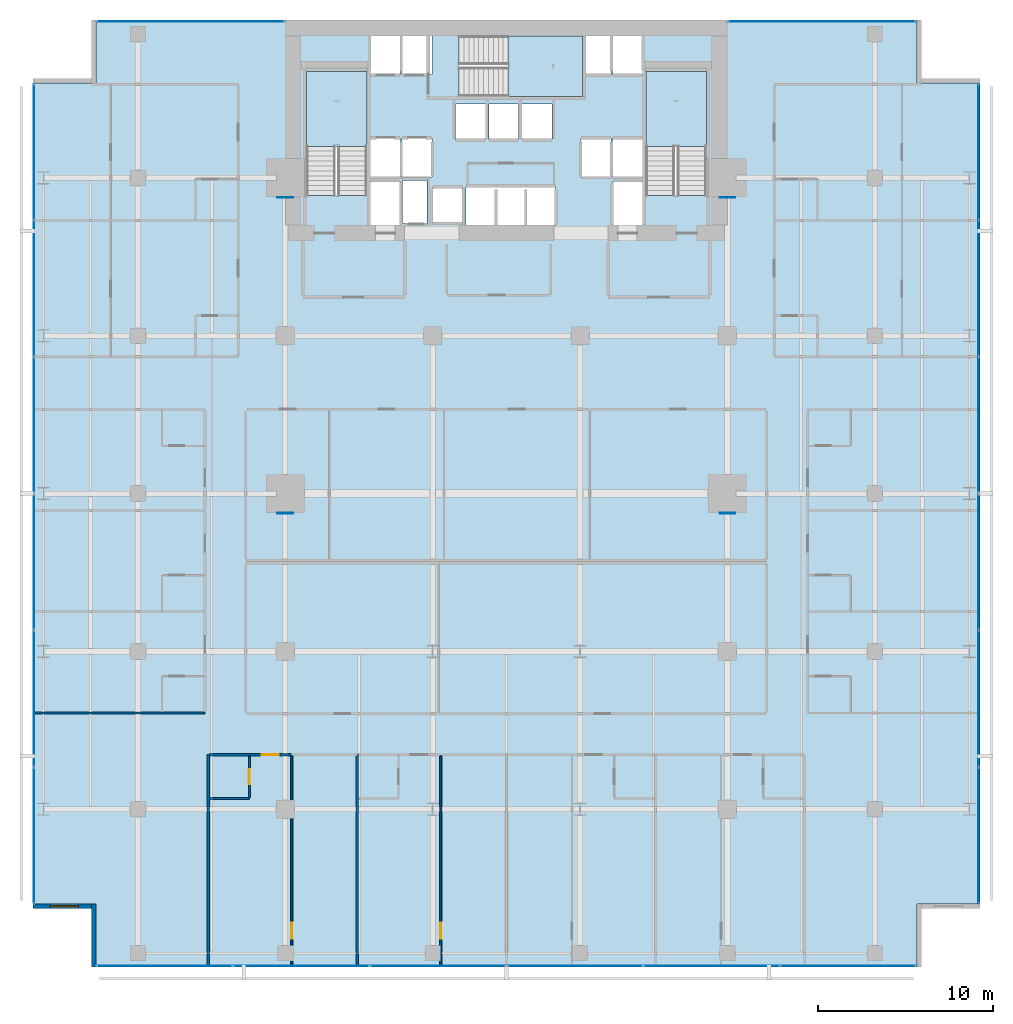
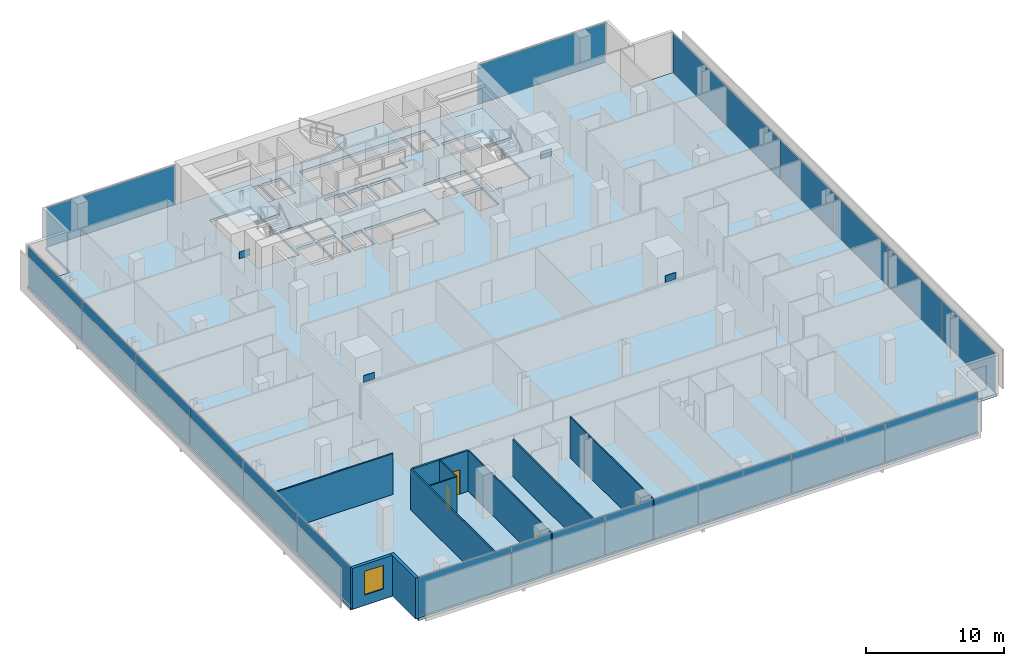
# One storey, part 32 of 40: 24 plates, 11 walls, 4 doors, 4 slabs, 1 window, 5 openings, 8 elements without a shape of their own.
"""IFC4 building model written with IfcOpenShell, lengths in metres."""

import ifcopenshell
import ifcopenshell.guid

model = None  # the IFC model being written
_history = None  # IfcOwnerHistory: only IFC2X3 demands one
_inside = {}  # id of a spatial element -> (the spatial element, [elements in it])
_under = {}  # id of a project, library or spatial element -> (it, [spatial elements below it])
_declared = {}  # id of a project -> (the project, [libraries it declares])
_typed = {}  # id of a type object -> (the type object, [elements of that type])
_made_of = {}  # id of a material, layer set ... -> (it, [elements and type objects made of it])


def new_model(schema):
    """Start an empty IFC model of exactly this schema.

    Asked for "IFC4X3", IfcOpenShell would pick the latest addendum, in which some entities
    have other attributes; the version numbers below select the first issue.
    IFC2X3 requires an IfcOwnerHistory on every rooted entity: one is made here for all.
    """
    global model, _history
    if schema == "IFC4X3":
        model = ifcopenshell.file(schema_version=(4, 3, 0, 0))
    else:
        model = ifcopenshell.file(schema=schema)
    _inside.clear()
    _under.clear()
    _declared.clear()
    _typed.clear()
    _made_of.clear()
    _history = None
    if model.schema == "IFC2X3":
        org = make("IfcOrganization", Name="unknown")
        user = make(
            "IfcPersonAndOrganization",
            ThePerson=make("IfcPerson", FamilyName="unknown"),
            TheOrganization=org,
        )
        app = make(
            "IfcApplication",
            ApplicationDeveloper=org,
            Version="unknown",
            ApplicationFullName="unknown",
            ApplicationIdentifier="unknown",
        )
        _history = make(
            "IfcOwnerHistory",
            OwningUser=user,
            OwningApplication=app,
            ChangeAction="ADDED",
            CreationDate=0,
        )
    return model


def make(cls, **values):
    """One entity of the class cls with the attributes given. An attribute that is None is left unset."""
    return model.create_entity(
        cls, **{name: value for name, value in values.items() if value is not None}
    )


def rooted(cls, **values):
    """An entity with a GlobalId (a new one), such as an element, a storey or a relation."""
    return make(cls, GlobalId=ifcopenshell.guid.new(), OwnerHistory=_history, **values)


def si_unit(unit_type, name, prefix=None):
    """IfcSIUnit, for example si_unit("LENGTHUNIT", "METRE", prefix="MILLI")."""
    return make("IfcSIUnit", UnitType=unit_type, Prefix=prefix, Name=name)


def assignment(units):
    """IfcUnitAssignment: the units of a project."""
    return None if units is None else make("IfcUnitAssignment", Units=units)


def point(xyz):
    """IfcCartesianPoint."""
    return None if xyz is None else make("IfcCartesianPoint", Coordinates=xyz)


def direction(xyz):
    """IfcDirection."""
    return None if xyz is None else make("IfcDirection", DirectionRatios=xyz)


def frame(location, z_axis=None, x_axis=None):
    """IfcAxis2Placement3D, a coordinate frame: its origin and axes. An axis left out is left unset."""
    return make(
        "IfcAxis2Placement3D",
        Location=point(location),
        Axis=direction(z_axis),
        RefDirection=direction(x_axis),
    )


def frame_2d(location, x_axis=None):
    """IfcAxis2Placement2D, a coordinate frame in the plane: its origin and x axis."""
    return make(
        "IfcAxis2Placement2D", Location=point(location), RefDirection=direction(x_axis)
    )


def origin():
    """The frame at (0, 0, 0) with its axes left unset."""
    return frame((0.0, 0.0, 0.0))


def origin_2d():
    """The frame at (0, 0) in the plane with its x axis left unset."""
    return frame_2d((0.0, 0.0))


def place(relative_to, where):
    """IfcLocalPlacement: puts the frame where relative to a parent placement (None: the world)."""
    return make(
        "IfcLocalPlacement", PlacementRelTo=relative_to, RelativePlacement=where
    )


def context(
    kind, dimensions, precision=None, world=None, true_north=None, identifier=None
):
    """IfcGeometricRepresentationContext, for example the 3D "Model" context."""
    return make(
        "IfcGeometricRepresentationContext",
        ContextIdentifier=identifier,
        ContextType=kind,
        CoordinateSpaceDimension=dimensions,
        Precision=precision,
        WorldCoordinateSystem=world,
        TrueNorth=true_north,
    )


def subcontext(parent, identifier, kind, view, scale=None):
    """IfcGeometricRepresentationSubContext, for example "Body" below "Model"."""
    return make(
        "IfcGeometricRepresentationSubContext",
        ContextIdentifier=identifier,
        ContextType=kind,
        ParentContext=parent,
        TargetScale=scale,
        TargetView=view,
    )


def project(units=None, contexts=None):
    """IfcProject with its units and contexts."""
    return rooted(
        "IfcProject",
        Name="project",
        RepresentationContexts=contexts,
        UnitsInContext=assignment(units),
    )


def spatial(cls, under=None, at=None, **own):
    """A site, building, storey or space (cls), placed at a placement, below another one or the project."""
    s = rooted(cls, ObjectPlacement=at, **own)
    if under is not None:
        _under.setdefault(under.id(), (under, []))[1].append(s)
    return s


def polyline(points):
    """IfcPolyline through the points."""
    return make("IfcPolyline", Points=[point(p) for p in points])


def profile(cls, at=None, kind="AREA", **sizes):
    """A parametric profile (cls). Its sizes go by their IFC names, for example OverallWidth=200.0."""
    return make(cls, ProfileType=kind, Position=at, **sizes)


def rectangle(**sizes):
    """IfcRectangleProfileDef."""
    return profile("IfcRectangleProfileDef", **sizes)


def outline(outer, holes=None, kind="AREA"):
    """IfcArbitraryClosedProfileDef: a profile drawn as a closed curve; with holes, ...WithVoids."""
    if holes is None:
        return make("IfcArbitraryClosedProfileDef", ProfileType=kind, OuterCurve=outer)
    return make(
        "IfcArbitraryProfileDefWithVoids",
        ProfileType=kind,
        OuterCurve=outer,
        InnerCurves=holes,
    )


def extrude(swept, where, along, depth):
    """IfcExtrudedAreaSolid: the profile swept, set in the frame where, extruded along a direction by depth."""
    return make(
        "IfcExtrudedAreaSolid",
        SweptArea=swept,
        Position=where,
        ExtrudedDirection=direction(along),
        Depth=depth,
    )


def shape(context_of_items, identifier, shape_type, items):
    """IfcShapeRepresentation: the items that make up one representation, for example the "Body"."""
    return make(
        "IfcShapeRepresentation",
        ContextOfItems=context_of_items,
        RepresentationIdentifier=identifier,
        RepresentationType=shape_type,
        Items=items,
    )


def material(Name=None, Category=None):
    """IfcMaterial."""
    return make("IfcMaterial", Name=Name, Category=Category)


def layer(
    of_material, thickness, ventilated=None, Name=None, Category=None, Priority=None
):
    """IfcMaterialLayer: one layer of a wall or slab, of a material (None: an air gap)."""
    return make(
        "IfcMaterialLayer",
        Material=of_material,
        LayerThickness=thickness,
        IsVentilated=ventilated,
        Name=Name,
        Category=Category,
        Priority=Priority,
    )


def layer_set(layers, Name=None):
    """IfcMaterialLayerSet."""
    return make("IfcMaterialLayerSet", MaterialLayers=layers, LayerSetName=Name)


def made_of(thing, what):
    """Note that an element or type object is made of a material, layer set ...; save() writes the relation."""
    if what is not None:
        _made_of.setdefault(what.id(), (what, []))[1].append(thing)
    return thing


def type_object(cls, material=None, **own):
    """A type object (cls), such as IfcWallType, which elements share."""
    return made_of(rooted(cls, **own), material)


def element(
    cls,
    number,
    at=None,
    inside=None,
    cuts=None,
    type_object=None,
    material=None,
    context=None,
    identifier="Body",
    shape_type=None,
    held_by="IfcProductDefinitionShape",
    body=None,
    shapes=None,
    **own,
):
    """One element of the class cls, such as IfcWall. Its Tag is "e" and its number.

    at: its placement. inside: the storey or other place that contains it. cuts: it is an
    opening in that element (IfcRelVoidsElement). A single representation is given by context,
    identifier, shape_type and body (its items); several are given by shapes. held_by: the class
    of the entity that holds the representations. save() writes the other relations.
    """
    e = rooted(cls, Tag="e%d" % number, ObjectPlacement=at, **own)
    if body is not None:
        shapes = [shape(context, identifier, shape_type, body)]
    if shapes is not None:
        e.Representation = make(held_by, Representations=shapes)
    if inside is not None:
        _inside.setdefault(inside.id(), (inside, []))[1].append(e)
    if cuts is not None:
        rooted(
            "IfcRelVoidsElement", RelatingBuildingElement=cuts, RelatedOpeningElement=e
        )
    if type_object is not None:
        _typed.setdefault(type_object.id(), (type_object, []))[1].append(e)
    return made_of(e, material)


def fill(opening, filler):
    """IfcRelFillsElement: the door or window that sits in an opening."""
    return rooted(
        "IfcRelFillsElement",
        RelatingOpeningElement=opening,
        RelatedBuildingElement=filler,
    )


def aggregate(whole, parts):
    """IfcRelAggregates: a whole, such as a stair, and the parts it consists of."""
    return rooted("IfcRelAggregates", RelatingObject=whole, RelatedObjects=parts)


def save(model, path):
    """Write the relations noted so far, then the file.

    IfcRelAggregates (storeys below a building ...), IfcRelContainedInSpatialStructure (elements
    in a storey), IfcRelDefinesByType, IfcRelAssociatesMaterial and IfcRelDeclares: one each for
    every whole, place, type object, material and project.
    """
    for whole, parts in _under.values():
        aggregate(whole, parts)
    for where, things in _inside.values():
        rooted(
            "IfcRelContainedInSpatialStructure",
            RelatedElements=things,
            RelatingStructure=where,
        )
    for kind, things in _typed.values():
        rooted("IfcRelDefinesByType", RelatedObjects=things, RelatingType=kind)
    for what, things in _made_of.values():
        rooted("IfcRelAssociatesMaterial", RelatedObjects=things, RelatingMaterial=what)
    for by, libraries in _declared.values():
        rooted("IfcRelDeclares", RelatingContext=by, RelatedDefinitions=libraries)
    model.write(path)


model = new_model("IFC4")

# Units and contexts
model_context = context("Model", 3, precision=1e-05, world=origin(), true_north=direction((0.0, 1.0)))
body_context = subcontext(model_context, "Body", "Model", "MODEL_VIEW")
ifc_project = project(units=[si_unit("LENGTHUNIT", "METRE"), si_unit("AREAUNIT", "SQUARE_METRE"), si_unit("VOLUMEUNIT", "CUBIC_METRE"), si_unit("PLANEANGLEUNIT", "RADIAN"), si_unit("MASSUNIT", "GRAM", prefix="KILO")], contexts=[model_context])

# Site, building, storey
site_placement = place(None, origin())
site = spatial("IfcSite", under=ifc_project, at=site_placement, CompositionType="ELEMENT")
building_placement = place(site_placement, origin())
building = spatial("IfcBuilding", under=site, at=building_placement, Name="Maruvema Waterfront Hotel and Observation Tower", CompositionType="ELEMENT")
storey_placement = place(building_placement, frame((0.0, 0.0, 88.550048828125)))
storey = spatial("IfcBuildingStorey", under=building, at=storey_placement, Name="L21", CompositionType="ELEMENT", Elevation=88.550048828125)

# Slab
ifc_material_1 = material(Name="Concrete C50/60", Category="concrete")
ifc_layer_1 = layer(ifc_material_1, 0.239990234375, Name="Reinforced Concrete Floor Slab 240 mm")
ifc_layer_set_1 = layer_set([ifc_layer_1], Name="Concrete C50/60")
slab_type_1 = type_object("IfcSlabType", Name="Reinforced Concrete Floor Slab 240 mm", PredefinedType="FLOOR", material=ifc_layer_set_1)
slab_1_placement = place(storey_placement, frame((0.0, 0.0, -0.239990234375)))
element("IfcSlab", 1, at=slab_1_placement, inside=storey, type_object=slab_type_1, Name="L21 Structural Floor Slab", PredefinedType="FLOOR", context=body_context, shape_type="SweptSolid", body=[
    extrude(outline(polyline([(14.39990234375, 0.0), (61.199951171875, 0.0), (61.199951171875, 3.60009765625), (64.800048828125, 3.60009765625), (64.800048828125, 50.39990234375), (61.199951171875, 50.39990234375), (61.199951171875, 54.0), (14.39990234375, 54.0), (14.39990234375, 50.39990234375), (10.800048828125, 50.39990234375), (10.800048828125, 3.60009765625), (14.39990234375, 3.60009765625), (14.39990234375, 0.0)]), holes=[polyline([(26.39990234375, 44.00048828125), (26.39990234375, 51.050048828125), (29.85009765625, 51.050048828125), (29.85009765625, 44.00048828125), (26.39990234375, 44.00048828125)]), polyline([(30.050048828125, 44.800048828125), (31.75, 44.800048828125), (31.75, 42.320068359375), (30.050048828125, 42.320068359375), (30.050048828125, 44.800048828125)]), polyline([(31.75, 47.25), (31.75, 45.050048828125), (30.050048828125, 45.050048828125), (30.050048828125, 47.25), (31.75, 47.25)]), polyline([(31.75, 53.10009765625), (31.75, 50.89990234375), (30.050048828125, 50.89990234375), (30.050048828125, 53.10009765625), (31.75, 53.10009765625)]), polyline([(33.280029296875, 44.860107421875), (33.280029296875, 42.43994140625), (31.8798828125, 42.43994140625), (31.8798828125, 44.860107421875), (33.280029296875, 44.860107421875)]), polyline([(31.85009765625, 47.25), (33.550048828125, 47.25), (33.550048828125, 45.050048828125), (31.85009765625, 45.050048828125), (31.85009765625, 47.25)]), polyline([(31.85009765625, 53.10009765625), (33.550048828125, 53.10009765625), (33.550048828125, 50.89990234375), (31.85009765625, 50.89990234375), (31.85009765625, 53.10009765625)]), polyline([(33.60009765625, 44.449951171875), (35.300048828125, 44.449951171875), (35.300048828125, 42.449951171875), (33.60009765625, 42.449951171875), (33.60009765625, 44.449951171875)]), polyline([(34.89990234375, 49.199951171875), (36.60009765625, 49.199951171875), (36.60009765625, 47.199951171875), (34.89990234375, 47.199951171875), (34.89990234375, 49.199951171875)]), polyline([(38.5, 49.199951171875), (38.5, 47.199951171875), (36.800048828125, 47.199951171875), (36.800048828125, 49.199951171875), (38.5, 49.199951171875)]), polyline([(35.5, 44.5), (40.60009765625, 44.5), (40.60009765625, 42.300048828125), (35.5, 42.300048828125), (35.5, 44.5)]), polyline([(43.75, 50.89990234375), (42.14990234375, 50.89990234375), (42.14990234375, 49.64990234375), (35.1005859375, 49.64990234375), (35.1005859375, 53.10009765625), (43.75, 53.10009765625), (43.75, 50.89990234375)]), polyline([(40.39990234375, 49.199951171875), (40.39990234375, 47.199951171875), (38.699951171875, 47.199951171875), (38.699951171875, 49.199951171875), (40.39990234375, 49.199951171875)]), polyline([(43.75, 47.25), (43.75, 45.050048828125), (42.050048828125, 45.050048828125), (42.050048828125, 47.25), (43.75, 47.25)]), polyline([(45.550048828125, 44.800048828125), (45.550048828125, 42.320068359375), (43.85009765625, 42.320068359375), (43.85009765625, 44.800048828125), (45.550048828125, 44.800048828125)]), polyline([(43.85009765625, 47.25), (45.550048828125, 47.25), (45.550048828125, 45.050048828125), (43.85009765625, 45.050048828125), (43.85009765625, 47.25)]), polyline([(45.550048828125, 53.10009765625), (45.550048828125, 50.89990234375), (43.85009765625, 50.89990234375), (43.85009765625, 53.10009765625), (45.550048828125, 53.10009765625)]), polyline([(45.75, 51.050048828125), (49.199951171875, 51.050048828125), (49.199951171875, 44.00048828125), (45.75, 44.00048828125), (45.75, 51.050048828125)])]), origin(), (0.0, 0.0, 1.0), 0.239990234375),
])

# Curtain wall, plates
ifc_material_2 = material(Name="Anodised bronze aluminium and solar-control low-E IGU", Category="aluminium")
ifc_layer_2 = layer(ifc_material_2, 0.159912109375, Name="Zone 1 Bronze Inner Thermal Curtain Wall System CW-02")
ifc_layer_set_2 = layer_set([ifc_layer_2], Name="Anodised bronze aluminium and solar-control low-E IGU")
curtain_wall_type = type_object("IfcCurtainWallType", Name="Zone 1 Bronze Inner Thermal Curtain Wall System CW-02", PredefinedType="USERDEFINED", material=ifc_layer_set_2)
curtain_wall_1_placement = place(storey_placement, origin())
curtain_wall_1 = element("IfcCurtainWall", 2, at=curtain_wall_1_placement, inside=storey, type_object=curtain_wall_type, Name="L21 Curtain Wall CW-L21-S", ObjectType="UNITISED CURTAIN WALL", PredefinedType="USERDEFINED")
ifc_material_3 = material(Name="Laminated low-E solar-control double glazing", Category="glass")
ifc_layer_3 = layer(ifc_material_3, 0.035888671875, Name="Solar Control Double-Glazed Curtain Panel 36 mm")
ifc_layer_set_3 = layer_set([ifc_layer_3], Name="Laminated low-E solar-control double glazing")
plate_type_1 = type_object("IfcPlateType", Name="Solar Control Double-Glazed Curtain Panel 36 mm", PredefinedType="CURTAIN_PANEL", material=ifc_layer_set_3)
plate_1_placement = place(storey_placement, frame((18.31494140625, 0.080078125, 0.06005859375), z_axis=(0.0, 0.0, 1.0), x_axis=(1.0, 0.0, 0.0)))
plate_1 = element("IfcPlate", 3, at=plate_1_placement, type_object=plate_type_1, Name="CW-02 panel 1.1", PredefinedType="CURTAIN_PANEL", context=body_context, shape_type="SweptSolid", body=[
    extrude(rectangle(XDim=7.7099609375, YDim=0.028076171875, at=origin_2d()), origin(), (0.0, 0.0, 1.0), 3.489990234375),
])
plate_2_placement = place(storey_placement, frame((26.10009765625, 0.080078125, 0.06005859375), z_axis=(0.0, 0.0, 1.0), x_axis=(1.0, 0.0, 0.0)))
plate_2 = element("IfcPlate", 4, at=plate_2_placement, type_object=plate_type_1, Name="CW-02 panel 2.1", PredefinedType="CURTAIN_PANEL", context=body_context, shape_type="SweptSolid", body=[
    extrude(rectangle(XDim=7.739990234375, YDim=0.028076171875, at=origin_2d()), origin(), (0.0, 0.0, 1.0), 3.489990234375),
])
plate_3_placement = place(storey_placement, frame((33.89990234375, 0.080078125, 0.06005859375), z_axis=(0.0, 0.0, 1.0), x_axis=(1.0, 0.0, 0.0)))
plate_3 = element("IfcPlate", 5, at=plate_3_placement, type_object=plate_type_1, Name="CW-02 panel 3.1", PredefinedType="CURTAIN_PANEL", context=body_context, shape_type="SweptSolid", body=[
    extrude(rectangle(XDim=7.739990234375, YDim=0.028076171875, at=origin_2d()), origin(), (0.0, 0.0, 1.0), 3.489990234375),
])
plate_4_placement = place(storey_placement, frame((41.699951171875, 0.080078125, 0.06005859375), z_axis=(0.0, 0.0, 1.0), x_axis=(1.0, 0.0, 0.0)))
plate_4 = element("IfcPlate", 6, at=plate_4_placement, type_object=plate_type_1, Name="CW-02 panel 4.1", PredefinedType="CURTAIN_PANEL", context=body_context, shape_type="SweptSolid", body=[
    extrude(rectangle(XDim=7.739990234375, YDim=0.028076171875, at=origin_2d()), origin(), (0.0, 0.0, 1.0), 3.489990234375),
])
plate_5_placement = place(storey_placement, frame((49.5, 0.080078125, 0.06005859375), z_axis=(0.0, 0.0, 1.0), x_axis=(1.0, 0.0, 0.0)))
plate_5 = element("IfcPlate", 7, at=plate_5_placement, type_object=plate_type_1, Name="CW-02 panel 5.1", PredefinedType="CURTAIN_PANEL", context=body_context, shape_type="SweptSolid", body=[
    extrude(rectangle(XDim=7.739990234375, YDim=0.028076171875, at=origin_2d()), origin(), (0.0, 0.0, 1.0), 3.489990234375),
])
plate_6_placement = place(storey_placement, frame((57.284912109375, 0.080078125, 0.06005859375), z_axis=(0.0, 0.0, 1.0), x_axis=(1.0, 0.0, 0.0)))
plate_6 = element("IfcPlate", 8, at=plate_6_placement, type_object=plate_type_1, Name="CW-02 panel 6.1", PredefinedType="CURTAIN_PANEL", context=body_context, shape_type="SweptSolid", body=[
    extrude(rectangle(XDim=7.7099609375, YDim=0.028076171875, at=origin_2d()), origin(), (0.0, 0.0, 1.0), 3.489990234375),
])
aggregate(curtain_wall_1, [plate_1, plate_2, plate_3, plate_4, plate_5, plate_6])

curtain_wall_2_placement = place(storey_placement, origin())
curtain_wall_2 = element("IfcCurtainWall", 9, at=curtain_wall_2_placement, inside=storey, type_object=curtain_wall_type, Name="L21 Curtain Wall CW-L21-E", ObjectType="UNITISED CURTAIN WALL", PredefinedType="USERDEFINED")
plate_7_placement = place(storey_placement, frame((64.719970703125, 7.514892578125, 0.06005859375), z_axis=(0.0, 0.0, 1.0), x_axis=(0.0, 1.0, 0.0)))
plate_7 = element("IfcPlate", 10, at=plate_7_placement, type_object=plate_type_1, Name="CW-02 panel 1.1", PredefinedType="CURTAIN_PANEL", context=body_context, shape_type="SweptSolid", body=[
    extrude(rectangle(XDim=7.7099609375, YDim=0.028076171875, at=origin_2d()), origin(), (0.0, 0.0, 1.0), 3.489990234375),
])
plate_8_placement = place(storey_placement, frame((64.719970703125, 15.300048828125, 0.06005859375), z_axis=(0.0, 0.0, 1.0), x_axis=(0.0, 1.0, 0.0)))
plate_8 = element("IfcPlate", 11, at=plate_8_placement, type_object=plate_type_1, Name="CW-02 panel 2.1", PredefinedType="CURTAIN_PANEL", context=body_context, shape_type="SweptSolid", body=[
    extrude(rectangle(XDim=7.739990234375, YDim=0.028076171875, at=origin_2d()), origin(), (0.0, 0.0, 1.0), 3.489990234375),
])
plate_9_placement = place(storey_placement, frame((64.719970703125, 23.10009765625, 0.06005859375), z_axis=(0.0, 0.0, 1.0), x_axis=(0.0, 1.0, 0.0)))
plate_9 = element("IfcPlate", 12, at=plate_9_placement, type_object=plate_type_1, Name="CW-02 panel 3.1", PredefinedType="CURTAIN_PANEL", context=body_context, shape_type="SweptSolid", body=[
    extrude(rectangle(XDim=7.739990234375, YDim=0.028076171875, at=origin_2d()), origin(), (0.0, 0.0, 1.0), 3.489990234375),
])
plate_10_placement = place(storey_placement, frame((64.719970703125, 30.89990234375, 0.06005859375), z_axis=(0.0, 0.0, 1.0), x_axis=(0.0, 1.0, 0.0)))
plate_10 = element("IfcPlate", 13, at=plate_10_placement, type_object=plate_type_1, Name="CW-02 panel 4.1", PredefinedType="CURTAIN_PANEL", context=body_context, shape_type="SweptSolid", body=[
    extrude(rectangle(XDim=7.739990234375, YDim=0.028076171875, at=origin_2d()), origin(), (0.0, 0.0, 1.0), 3.489990234375),
])
plate_11_placement = place(storey_placement, frame((64.719970703125, 38.699951171875, 0.06005859375), z_axis=(0.0, 0.0, 1.0), x_axis=(0.0, 1.0, 0.0)))
plate_11 = element("IfcPlate", 14, at=plate_11_placement, type_object=plate_type_1, Name="CW-02 panel 5.1", PredefinedType="CURTAIN_PANEL", context=body_context, shape_type="SweptSolid", body=[
    extrude(rectangle(XDim=7.739990234375, YDim=0.028076171875, at=origin_2d()), origin(), (0.0, 0.0, 1.0), 3.489990234375),
])
plate_12_placement = place(storey_placement, frame((64.719970703125, 46.485107421875, 0.06005859375), z_axis=(0.0, 0.0, 1.0), x_axis=(0.0, 1.0, 0.0)))
plate_12 = element("IfcPlate", 15, at=plate_12_placement, type_object=plate_type_1, Name="CW-02 panel 6.1", PredefinedType="CURTAIN_PANEL", context=body_context, shape_type="SweptSolid", body=[
    extrude(rectangle(XDim=7.7099609375, YDim=0.028076171875, at=origin_2d()), origin(), (0.0, 0.0, 1.0), 3.489990234375),
])
aggregate(curtain_wall_2, [plate_7, plate_8, plate_9, plate_10, plate_11, plate_12])

curtain_wall_3_placement = place(storey_placement, origin())
curtain_wall_3 = element("IfcCurtainWall", 16, at=curtain_wall_3_placement, inside=storey, type_object=curtain_wall_type, Name="L21 Curtain Wall CW-L21-W", ObjectType="UNITISED CURTAIN WALL", PredefinedType="USERDEFINED")
plate_13_placement = place(storey_placement, frame((10.8798828125, 46.485107421875, 0.06005859375), z_axis=(0.0, 0.0, 1.0), x_axis=(0.0, -1.0, 0.0)))
plate_13 = element("IfcPlate", 17, at=plate_13_placement, type_object=plate_type_1, Name="CW-02 panel 1.1", PredefinedType="CURTAIN_PANEL", context=body_context, shape_type="SweptSolid", body=[
    extrude(rectangle(XDim=7.7099609375, YDim=0.028076171875, at=origin_2d()), origin(), (0.0, 0.0, 1.0), 3.489990234375),
])
plate_14_placement = place(storey_placement, frame((10.8798828125, 38.699951171875, 0.06005859375), z_axis=(0.0, 0.0, 1.0), x_axis=(0.0, -1.0, 0.0)))
plate_14 = element("IfcPlate", 18, at=plate_14_placement, type_object=plate_type_1, Name="CW-02 panel 2.1", PredefinedType="CURTAIN_PANEL", context=body_context, shape_type="SweptSolid", body=[
    extrude(rectangle(XDim=7.739990234375, YDim=0.028076171875, at=origin_2d()), origin(), (0.0, 0.0, 1.0), 3.489990234375),
])
plate_15_placement = place(storey_placement, frame((10.8798828125, 30.89990234375, 0.06005859375), z_axis=(0.0, 0.0, 1.0), x_axis=(0.0, -1.0, 0.0)))
plate_15 = element("IfcPlate", 19, at=plate_15_placement, type_object=plate_type_1, Name="CW-02 panel 3.1", PredefinedType="CURTAIN_PANEL", context=body_context, shape_type="SweptSolid", body=[
    extrude(rectangle(XDim=7.739990234375, YDim=0.028076171875, at=origin_2d()), origin(), (0.0, 0.0, 1.0), 3.489990234375),
])
plate_16_placement = place(storey_placement, frame((10.8798828125, 23.10009765625, 0.06005859375), z_axis=(0.0, 0.0, 1.0), x_axis=(0.0, -1.0, 0.0)))
plate_16 = element("IfcPlate", 20, at=plate_16_placement, type_object=plate_type_1, Name="CW-02 panel 4.1", PredefinedType="CURTAIN_PANEL", context=body_context, shape_type="SweptSolid", body=[
    extrude(rectangle(XDim=7.739990234375, YDim=0.028076171875, at=origin_2d()), origin(), (0.0, 0.0, 1.0), 3.489990234375),
])
plate_17_placement = place(storey_placement, frame((10.8798828125, 15.300048828125, 0.06005859375), z_axis=(0.0, 0.0, 1.0), x_axis=(0.0, -1.0, 0.0)))
plate_17 = element("IfcPlate", 21, at=plate_17_placement, type_object=plate_type_1, Name="CW-02 panel 5.1", PredefinedType="CURTAIN_PANEL", context=body_context, shape_type="SweptSolid", body=[
    extrude(rectangle(XDim=7.739990234375, YDim=0.028076171875, at=origin_2d()), origin(), (0.0, 0.0, 1.0), 3.489990234375),
])
plate_18_placement = place(storey_placement, frame((10.8798828125, 7.514892578125, 0.06005859375), z_axis=(0.0, 0.0, 1.0), x_axis=(0.0, -1.0, 0.0)))
plate_18 = element("IfcPlate", 22, at=plate_18_placement, type_object=plate_type_1, Name="CW-02 panel 6.1", PredefinedType="CURTAIN_PANEL", context=body_context, shape_type="SweptSolid", body=[
    extrude(rectangle(XDim=7.7099609375, YDim=0.028076171875, at=origin_2d()), origin(), (0.0, 0.0, 1.0), 3.489990234375),
])
aggregate(curtain_wall_3, [plate_13, plate_14, plate_15, plate_16, plate_17, plate_18])

# Curtain wall, plate
curtain_wall_4_placement = place(storey_placement, origin())
curtain_wall_4 = element("IfcCurtainWall", 23, at=curtain_wall_4_placement, inside=storey, type_object=curtain_wall_type, Name="L21 Curtain Wall CW-L21-NW", ObjectType="UNITISED CURTAIN WALL", PredefinedType="USERDEFINED")
plate_19_placement = place(storey_placement, frame((19.800048828125, 53.919921875, 0.06005859375), z_axis=(0.0, 0.0, 1.0), x_axis=(-1.0, 0.0, 0.0)))
plate_19 = element("IfcPlate", 24, at=plate_19_placement, type_object=plate_type_1, Name="CW-02 panel 1.1", PredefinedType="CURTAIN_PANEL", context=body_context, shape_type="SweptSolid", body=[
    extrude(rectangle(XDim=10.679931640625, YDim=0.028076171875, at=origin_2d()), origin(), (0.0, 0.0, 1.0), 3.489990234375),
])
aggregate(curtain_wall_4, [plate_19])

curtain_wall_5_placement = place(storey_placement, origin())
curtain_wall_5 = element("IfcCurtainWall", 25, at=curtain_wall_5_placement, inside=storey, type_object=curtain_wall_type, Name="L21 Curtain Wall CW-L21-NE", ObjectType="UNITISED CURTAIN WALL", PredefinedType="USERDEFINED")
plate_20_placement = place(storey_placement, frame((55.800048828125, 53.919921875, 0.06005859375), z_axis=(0.0, 0.0, 1.0), x_axis=(-1.0, 0.0, 0.0)))
plate_20 = element("IfcPlate", 26, at=plate_20_placement, type_object=plate_type_1, Name="CW-02 panel 1.1", PredefinedType="CURTAIN_PANEL", context=body_context, shape_type="SweptSolid", body=[
    extrude(rectangle(XDim=10.679931640625, YDim=0.028076171875, at=origin_2d()), origin(), (0.0, 0.0, 1.0), 3.489990234375),
])
aggregate(curtain_wall_5, [plate_20])

# Stair, slab
ifc_material_4 = material(Name="Concrete C50/60", Category="concrete")
stair_type = type_object("IfcStairType", Name="Dogleg Exit Stair 1650 mm (22R x 175.0 mm)", PredefinedType="HALF_TURN_STAIR", material=ifc_material_4)
stair_1_placement = place(storey_placement, origin())
stair_1 = element("IfcStair", 27, at=stair_1_placement, inside=storey, type_object=stair_type, Name="L21 ST-01", PredefinedType="HALF_TURN_STAIR")
ifc_material_5 = material(Name="Concrete C50/60", Category="concrete")
ifc_layer_4 = layer(ifc_material_5, 0.219970703125, Name="Stair Concrete Landing Slab 220 mm")
ifc_layer_set_4 = layer_set([ifc_layer_4], Name="Concrete C50/60")
slab_type_2 = type_object("IfcSlabType", Name="Stair Concrete Landing Slab 220 mm", PredefinedType="LANDING", material=ifc_layer_set_4)
slab_2_placement = place(storey_placement, frame((0.0, 0.0, 1.704833984375)))
slab_2 = element("IfcSlab", 28, at=slab_2_placement, type_object=slab_type_2, Name="ST-01 landing 1", PredefinedType="LANDING", context=body_context, shape_type="SweptSolid", body=[
    extrude(outline(polyline([(29.85009765625, 46.800048828125), (29.85009765625, 51.050048828125), (26.39990234375, 51.050048828125), (26.39990234375, 46.800048828125), (29.85009765625, 46.800048828125)])), origin(), (0.0, 0.0, 1.0), 0.22021484375),
])
aggregate(stair_1, [slab_2])

stair_2_placement = place(storey_placement, origin())
stair_2 = element("IfcStair", 29, at=stair_2_placement, inside=storey, type_object=stair_type, Name="L21 ST-02", PredefinedType="HALF_TURN_STAIR")
slab_3_placement = place(storey_placement, frame((0.0, 0.0, 1.704833984375)))
slab_3 = element("IfcSlab", 30, at=slab_3_placement, type_object=slab_type_2, Name="ST-02 landing 1", PredefinedType="LANDING", context=body_context, shape_type="SweptSolid", body=[
    extrude(outline(polyline([(37.89990234375, 49.64990234375), (42.14990234375, 49.64990234375), (42.14990234375, 53.10009765625), (37.89990234375, 53.10009765625), (37.89990234375, 49.64990234375)])), origin(), (0.0, 0.0, 1.0), 0.22021484375),
])
aggregate(stair_2, [slab_3])

stair_3_placement = place(storey_placement, origin())
stair_3 = element("IfcStair", 31, at=stair_3_placement, inside=storey, type_object=stair_type, Name="L21 ST-03", PredefinedType="HALF_TURN_STAIR")
slab_4_placement = place(storey_placement, frame((0.0, 0.0, 1.704833984375)))
slab_4 = element("IfcSlab", 32, at=slab_4_placement, type_object=slab_type_2, Name="ST-03 landing 1", PredefinedType="LANDING", context=body_context, shape_type="SweptSolid", body=[
    extrude(outline(polyline([(49.199951171875, 46.800048828125), (49.199951171875, 51.050048828125), (45.75, 51.050048828125), (45.75, 46.800048828125), (49.199951171875, 46.800048828125)])), origin(), (0.0, 0.0, 1.0), 0.22021484375),
])
aggregate(stair_3, [slab_4])

# Plates
ifc_material_6 = material(Name="Steel ABNT NBR 7007 AR 415 (ASTM A572 Grade 50)", Category="steel")
ifc_layer_5 = layer(ifc_material_6, 0.0400390625, Name="Structural Truss Node Gusset Plate 40 mm")
ifc_layer_set_5 = layer_set([ifc_layer_5], Name="Steel ABNT NBR 7007 AR 415 (ASTM A572 Grade 50)")
plate_type_2 = type_object("IfcPlateType", Name="Structural Truss Node Gusset Plate 40 mm", PredefinedType="USERDEFINED", material=ifc_layer_set_5)
for number, where, z_axis, x_axis, name in (
    (33, (25.199951171875, 25.8798828125, 1.5), (0.0, 0.0, 1.0), (1.0, 0.0, 0.0), "L21 MC-01 Moment Frame Continuity Gusset Plate"),
    (34, (50.39990234375, 25.8798828125, 1.5), (0.0, 0.0, 1.0), (1.0, 0.0, 0.0), "L21 MC-02 Moment Frame Continuity Gusset Plate"),
    (35, (25.199951171875, 43.8798828125, 1.5), (0.0, 0.0, 1.0), (1.0, 0.0, 0.0), "L21 MC-03 Moment Frame Continuity Gusset Plate"),
    (36, (50.39990234375, 43.8798828125, 1.5), (0.0, 0.0, 1.0), (1.0, 0.0, 0.0), "L21 MC-04 Moment Frame Continuity Gusset Plate"),
):
    element("IfcPlate", number, at=place(storey_placement, frame(where, z_axis=z_axis, x_axis=x_axis)), inside=storey, type_object=plate_type_2, Name=name, ObjectType="GUSSET_PLATE", PredefinedType="USERDEFINED", context=body_context, shape_type="SweptSolid", body=[
        extrude(rectangle(XDim=0.89990234375, YDim=0.0400390625, at=origin_2d()), origin(), (0.0, 0.0, 1.0), 0.60009765625),
    ])

# Wall
ifc_material_7 = material(Name="Twin-stud acoustic gypsum drywall", Category="gypsum")
ifc_layer_6 = layer(ifc_material_7, 0.14990234375, Name="Acoustic Corridor and Suite Demising Wall 150 mm")
ifc_layer_set_6 = layer_set([ifc_layer_6], Name="Twin-stud acoustic gypsum drywall")
wall_type_1 = type_object("IfcWallType", Name="Acoustic Corridor and Suite Demising Wall 150 mm", PredefinedType="PARTITIONING", material=ifc_layer_set_6)
wall_1_placement = place(storey_placement, frame((20.8798828125, 12.1201171875, 0.0), z_axis=(0.0, 0.0, 1.0), x_axis=(1.0, 0.0, 0.0)))
element("IfcWall", 37, at=wall_1_placement, inside=storey, type_object=wall_type_1, Name="L21 Bath L21-S1 Back Wall 034", PredefinedType="PARTITIONING", context=body_context, shape_type="SweptSolid", body=[
    extrude(rectangle(XDim=2.27001953125, YDim=0.14990234375, at=frame_2d((1.135009765625, 0.0))), origin(), (0.0, 0.0, 1.0), 3.60986328125),
])

# Wall, opening, door
wall_2_placement = place(storey_placement, frame((23.14990234375, 12.1201171875, 0.0), z_axis=(0.0, 0.0, 1.0), x_axis=(1.0, 0.0, 0.0)))
wall_2 = element("IfcWall", 38, at=wall_2_placement, inside=storey, type_object=wall_type_1, Name="L21 Unit L21-S1 Corridor Wall 037", PredefinedType="PARTITIONING", context=body_context, shape_type="SweptSolid", body=[
    extrude(rectangle(XDim=2.3701171875, YDim=0.14990234375, at=frame_2d((1.18505859375, 0.0))), origin(), (0.0, 0.0, 1.0), 3.60986328125),
])
opening_1_placement = place(wall_2_placement, frame((0.7099609375, 0.0, 0.0)))
opening_1 = element("IfcOpeningElement", 39, at=opening_1_placement, cuts=wall_2, Name="Opening DR-095", PredefinedType="OPENING", context=body_context, shape_type="SweptSolid", body=[
    extrude(rectangle(XDim=0.949951171875, YDim=2.14990234375, at=frame_2d((0.47509765625, 1.074951171875))), frame((0.0, 0.0849609375, 0.0), z_axis=(0.0, -1.0, 0.0), x_axis=(1.0, 0.0, 0.0)), (0.0, 0.0, 1.0), 0.169921875),
])
ifc_material_8 = material(Name="Acoustic solid-core hardwood timber leaf", Category="wood")
door_type_1 = type_object("IfcDoorType", Name="Guestroom Entrance Fire Door 950x2150 mm", OperationType="NOTDEFINED", PredefinedType="DOOR", material=ifc_material_8)
door_1_placement = place(opening_1_placement, frame((0.949951171875, 0.0, 0.0), z_axis=(0.0, 0.0, 1.0), x_axis=(-1.0, 0.0, 0.0)))
door_1 = element("IfcDoor", 40, at=door_1_placement, inside=storey, type_object=door_type_1, Name="L21 Unit L21-S1 Entrance Door", OperationType="SINGLE_SWING_RIGHT", OverallHeight=2.14990234375, OverallWidth=0.949951171875, PredefinedType="DOOR", context=body_context, shape_type="SweptSolid", body=[
    extrude(rectangle(XDim=0.949951171875, YDim=2.14990234375, at=frame_2d((0.47509765625, 1.074951171875))), frame((0.0, 0.02490234375, 0.0), z_axis=(0.0, -1.0, 0.0), x_axis=(1.0, 0.0, 0.0)), (0.0, 0.0, 1.0), 0.050048828125),
])
fill(opening_1, door_1)

# Wall
ifc_material_9 = material(Name="Moisture-resistant cement-board drywall", Category="gypsum")
ifc_layer_7 = layer(ifc_material_9, 0.10009765625, Name="En-Suite Moisture-Resistant Partition 100 mm")
ifc_layer_set_7 = layer_set([ifc_layer_7], Name="Moisture-resistant cement-board drywall")
wall_type_2 = type_object("IfcWallType", Name="En-Suite Moisture-Resistant Partition 100 mm", PredefinedType="PARTITIONING", material=ifc_layer_set_7)
wall_3_placement = place(storey_placement, frame((20.8798828125, 9.6201171875, 0.0), z_axis=(0.0, 0.0, 1.0), x_axis=(1.0, 0.0, 0.0)))
element("IfcWall", 41, at=wall_3_placement, inside=storey, type_object=wall_type_2, Name="L21 En-Suite L21-S1 South 035", PredefinedType="PARTITIONING", context=body_context, shape_type="SweptSolid", body=[
    extrude(rectangle(XDim=2.27001953125, YDim=0.10009765625, at=frame_2d((1.135009765625, 0.0))), origin(), (0.0, 0.0, 1.0), 3.60986328125),
])

# Wall, opening, door
wall_4_placement = place(storey_placement, frame((23.14990234375, 9.679931640625, 0.0), z_axis=(0.0, 0.0, 1.0), x_axis=(0.0, 1.0, 0.0)))
wall_4 = element("IfcWall", 42, at=wall_4_placement, inside=storey, type_object=wall_type_2, Name="L21 En-Suite L21-S1 East 036", PredefinedType="PARTITIONING", context=body_context, shape_type="SweptSolid", body=[
    extrude(rectangle(XDim=2.340087890625, YDim=0.10009765625, at=frame_2d((1.169921875, 0.0))), origin(), (0.0, 0.0, 1.0), 3.60986328125),
])
opening_2_placement = place(wall_4_placement, frame((0.7451171875, 0.0, 0.0)))
opening_2 = element("IfcOpeningElement", 43, at=opening_2_placement, cuts=wall_4, Name="Opening DR-085", PredefinedType="OPENING", context=body_context, shape_type="SweptSolid", body=[
    extrude(rectangle(XDim=0.85009765625, YDim=2.10009765625, at=frame_2d((0.425048828125, 1.050048828125))), frame((0.0, 0.06005859375, 0.0), z_axis=(0.0, -1.0, 0.0), x_axis=(1.0, 0.0, 0.0)), (0.0, 0.0, 1.0), 0.1201171875),
])
ifc_material_10 = material(Name="Moisture-resistant solid timber leaf", Category="wood")
door_type_2 = type_object("IfcDoorType", Name="En-Suite Bathroom Door 850x2100 mm", OperationType="NOTDEFINED", PredefinedType="DOOR", material=ifc_material_10)
door_2_placement = place(opening_2_placement, frame((0.85009765625, 0.0, 0.0), z_axis=(0.0, 0.0, 1.0), x_axis=(-1.0, 0.0, 0.0)))
door_2 = element("IfcDoor", 44, at=door_2_placement, inside=storey, type_object=door_type_2, Name="L21 En-Suite L21-S1 Door", OperationType="SINGLE_SWING_LEFT", OverallHeight=2.10009765625, OverallWidth=0.85009765625, PredefinedType="DOOR", context=body_context, shape_type="SweptSolid", body=[
    extrude(rectangle(XDim=0.85009765625, YDim=2.10009765625, at=frame_2d((0.425048828125, 1.050048828125))), frame((0.0, 0.02490234375, 0.0), z_axis=(0.0, -1.0, 0.0), x_axis=(1.0, 0.0, 0.0)), (0.0, 0.0, 1.0), 0.050048828125),
])
fill(opening_2, door_2)

wall_5_placement = place(storey_placement, frame((25.56005859375, 0.030029296875, 0.0), z_axis=(0.0, 0.0, 1.0), x_axis=(0.0, 1.0, 0.0)))
wall_5 = element("IfcWall", 45, at=wall_5_placement, inside=storey, type_object=wall_type_2, Name="L21 Suite L21-S1 Split 039", PredefinedType="PARTITIONING", context=body_context, shape_type="SweptSolid", body=[
    extrude(rectangle(XDim=12.030029296875, YDim=0.10009765625, at=frame_2d((6.01513671875, 0.0))), origin(), (0.0, 0.0, 1.0), 3.60986328125),
])
opening_3_placement = place(wall_5_placement, frame((1.60009765625, 0.0, 0.0)))
opening_3 = element("IfcOpeningElement", 46, at=opening_3_placement, cuts=wall_5, Name="Opening DR-090", PredefinedType="OPENING", context=body_context, shape_type="SweptSolid", body=[
    extrude(rectangle(XDim=0.89990234375, YDim=2.10009765625, at=frame_2d((0.449951171875, 1.050048828125))), frame((0.0, 0.06005859375, 0.0), z_axis=(0.0, -1.0, 0.0), x_axis=(1.0, 0.0, 0.0)), (0.0, 0.0, 1.0), 0.1201171875),
])
ifc_material_11 = material(Name="Solid-core lacquered timber leaf", Category="wood")
door_type_3 = type_object("IfcDoorType", Name="Accessible Toilet and Room Door 900x2100 mm", OperationType="NOTDEFINED", PredefinedType="DOOR", material=ifc_material_11)
door_3_placement = place(opening_3_placement, origin())
door_3 = element("IfcDoor", 47, at=door_3_placement, inside=storey, type_object=door_type_3, Name="L21 Suite L21-S1 Bedroom Door", OperationType="SINGLE_SWING_LEFT", OverallHeight=2.10009765625, OverallWidth=0.89990234375, PredefinedType="DOOR", context=body_context, shape_type="SweptSolid", body=[
    extrude(rectangle(XDim=0.89990234375, YDim=2.10009765625, at=frame_2d((0.449951171875, 1.050048828125))), frame((0.0, 0.02490234375, 0.0), z_axis=(0.0, -1.0, 0.0), x_axis=(1.0, 0.0, 0.0)), (0.0, 0.0, 1.0), 0.050048828125),
])
fill(opening_3, door_3)

wall_6_placement = place(storey_placement, frame((34.06005859375, 0.030029296875, 0.0), z_axis=(0.0, 0.0, 1.0), x_axis=(0.0, 1.0, 0.0)))
wall_6 = element("IfcWall", 48, at=wall_6_placement, inside=storey, type_object=wall_type_2, Name="L21 Suite L21-S2 Split 046", PredefinedType="PARTITIONING", context=body_context, shape_type="SweptSolid", body=[
    extrude(rectangle(XDim=12.030029296875, YDim=0.10009765625, at=frame_2d((6.01513671875, 0.0))), origin(), (0.0, 0.0, 1.0), 3.60986328125),
])
opening_4_placement = place(wall_6_placement, frame((1.60009765625, 0.0, 0.0)))
opening_4 = element("IfcOpeningElement", 49, at=opening_4_placement, cuts=wall_6, Name="Opening DR-090", PredefinedType="OPENING", context=body_context, shape_type="SweptSolid", body=[
    extrude(rectangle(XDim=0.89990234375, YDim=2.10009765625, at=frame_2d((0.449951171875, 1.050048828125))), frame((0.0, 0.06005859375, 0.0), z_axis=(0.0, -1.0, 0.0), x_axis=(1.0, 0.0, 0.0)), (0.0, 0.0, 1.0), 0.1201171875),
])
door_4_placement = place(opening_4_placement, origin())
door_4 = element("IfcDoor", 50, at=door_4_placement, inside=storey, type_object=door_type_3, Name="L21 Suite L21-S2 Bedroom Door", OperationType="SINGLE_SWING_RIGHT", OverallHeight=2.10009765625, OverallWidth=0.89990234375, PredefinedType="DOOR", context=body_context, shape_type="SweptSolid", body=[
    extrude(rectangle(XDim=0.89990234375, YDim=2.10009765625, at=frame_2d((0.449951171875, 1.050048828125))), frame((0.0, 0.02490234375, 0.0), z_axis=(0.0, -1.0, 0.0), x_axis=(1.0, 0.0, 0.0)), (0.0, 0.0, 1.0), 0.050048828125),
])
fill(opening_4, door_4)

# Wall
ifc_material_12 = material(Name="Precast concrete C45/55 with honed Pernambuco granite facing", Category="masonry")
ifc_layer_8 = layer(ifc_material_12, 0.260009765625, Name="Exterior Granite Clad Spandrel and Pier Wall 260 mm")
ifc_layer_set_8 = layer_set([ifc_layer_8], Name="Precast concrete C45/55 with honed Pernambuco granite facing")
wall_type_3 = type_object("IfcWallType", Name="Exterior Granite Clad Spandrel and Pier Wall 260 mm", PredefinedType="SOLIDWALL", material=ifc_layer_set_8)
wall_7_placement = place(storey_placement, frame((14.27001953125, 0.0, 0.0), z_axis=(0.0, 0.0, 1.0), x_axis=(0.0, 1.0, 0.0)))
element("IfcWall", 51, at=wall_7_placement, inside=storey, type_object=wall_type_3, Name="L21 Corner Notch Granite Pier Wall SW1", PredefinedType="SOLIDWALL", context=body_context, shape_type="SweptSolid", body=[
    extrude(rectangle(XDim=3.60009765625, YDim=0.260009765625, at=frame_2d((1.800048828125, 0.0))), origin(), (0.0, 0.0, 1.0), 3.60986328125),
])

# Wall, opening, window
wall_8_placement = place(storey_placement, frame((14.39990234375, 3.469970703125, 0.0), z_axis=(0.0, 0.0, 1.0), x_axis=(-1.0, 0.0, 0.0)))
wall_8 = element("IfcWall", 52, at=wall_8_placement, inside=storey, type_object=wall_type_3, Name="L21 Corner Notch Granite Pier Wall SW2", PredefinedType="SOLIDWALL", context=body_context, shape_type="SweptSolid", body=[
    extrude(rectangle(XDim=3.599853515625, YDim=0.260009765625, at=frame_2d((1.7998046875, 0.0))), origin(), (0.0, 0.0, 1.0), 3.60986328125),
])
opening_5_placement = place(wall_8_placement, frame((1.0, 0.0, 0.89990234375)))
opening_5 = element("IfcOpeningElement", 53, at=opening_5_placement, cuts=wall_8, Name="Opening WN-01", PredefinedType="OPENING", context=body_context, shape_type="SweptSolid", body=[
    extrude(rectangle(XDim=1.60009765625, YDim=2.10009765625, at=frame_2d((0.800048828125, 1.050048828125))), frame((0.0, 0.14013671875, 0.0), z_axis=(0.0, -1.0, 0.0), x_axis=(1.0, 0.0, 0.0)), (0.0, 0.0, 1.0), 0.280029296875),
])
ifc_material_13 = material(Name="Anodised bronze aluminium frame with laminated low-E glass", Category="aluminium")
window_type = type_object("IfcWindowType", Name="Corner Notch Feature Window 1600x2100 mm", PartitioningType="SINGLE_PANEL", PredefinedType="WINDOW", material=ifc_material_13)
window_placement = place(opening_5_placement, origin())
window = element("IfcWindow", 54, at=window_placement, inside=storey, type_object=window_type, Name="L21 Corner Notch Punched Window SW2", OverallHeight=2.10009765625, OverallWidth=1.60009765625, PartitioningType="SINGLE_PANEL", PredefinedType="WINDOW", context=body_context, shape_type="SweptSolid", body=[
    extrude(rectangle(XDim=1.60009765625, YDim=2.10009765625, at=frame_2d((0.800048828125, 1.050048828125))), frame((0.0, 0.030029296875, 0.0), z_axis=(0.0, -1.0, 0.0), x_axis=(1.0, 0.0, 0.0)), (0.0, 0.0, 1.0), 0.06005859375),
])
fill(opening_5, window)

# Walls
ifc_material_14 = material(Name="Acoustic gypsum plasterboard drywall", Category="gypsum")
ifc_layer_9 = layer(ifc_material_14, 0.125, Name="Guestroom Acoustic Demising Wall 125 mm")
ifc_layer_set_9 = layer_set([ifc_layer_9], Name="Acoustic gypsum plasterboard drywall")
wall_type_4 = type_object("IfcWallType", Name="Guestroom Acoustic Demising Wall 125 mm", PredefinedType="PARTITIONING", material=ifc_layer_set_9)
wall_9_placement = place(storey_placement, frame((20.800048828125, 0.10009765625, 0.0), z_axis=(0.0, 0.0, 1.0), x_axis=(0.0, 1.0, 0.0)))
element("IfcWall", 55, at=wall_9_placement, inside=storey, type_object=wall_type_4, Name="L21 S West End 032", PredefinedType="PARTITIONING", context=body_context, shape_type="SweptSolid", body=[
    extrude(rectangle(XDim=12.02001953125, YDim=0.125, at=frame_2d((6.010009765625, 0.0))), origin(), (0.0, 0.0, 1.0), 3.60986328125),
])
wall_10_placement = place(storey_placement, frame((29.300048828125, 0.10009765625, 0.0), z_axis=(0.0, 0.0, 1.0), x_axis=(0.0, 1.0, 0.0)))
element("IfcWall", 56, at=wall_10_placement, inside=storey, type_object=wall_type_4, Name="L21 S Demising 2 040", PredefinedType="PARTITIONING", context=body_context, shape_type="SweptSolid", body=[
    extrude(rectangle(XDim=12.02001953125, YDim=0.125, at=frame_2d((6.010009765625, 0.0))), origin(), (0.0, 0.0, 1.0), 3.2548828125),
])
wall_11_placement = place(storey_placement, frame((10.89990234375, 14.5, 0.0), z_axis=(0.0, 0.0, 1.0), x_axis=(1.0, 0.0, 0.0)))
element("IfcWall", 57, at=wall_11_placement, inside=storey, type_object=wall_type_4, Name="L21 W Bot End 061", PredefinedType="PARTITIONING", context=body_context, shape_type="SweptSolid", body=[
    extrude(rectangle(XDim=9.72021484375, YDim=0.125, at=frame_2d((4.860107421875, 0.0))), origin(), (0.0, 0.0, 1.0), 3.60986328125),
])

save(model, "model.ifc")
